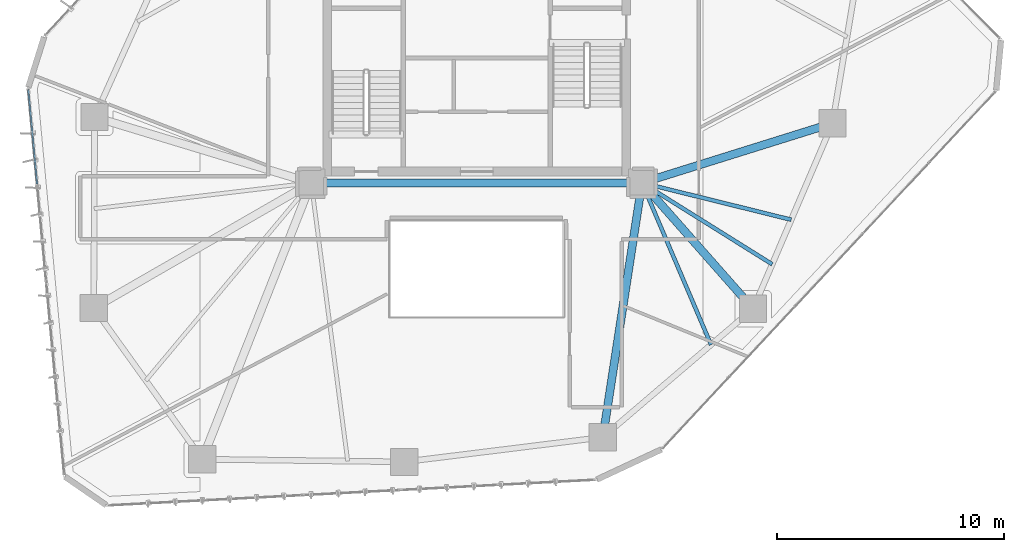
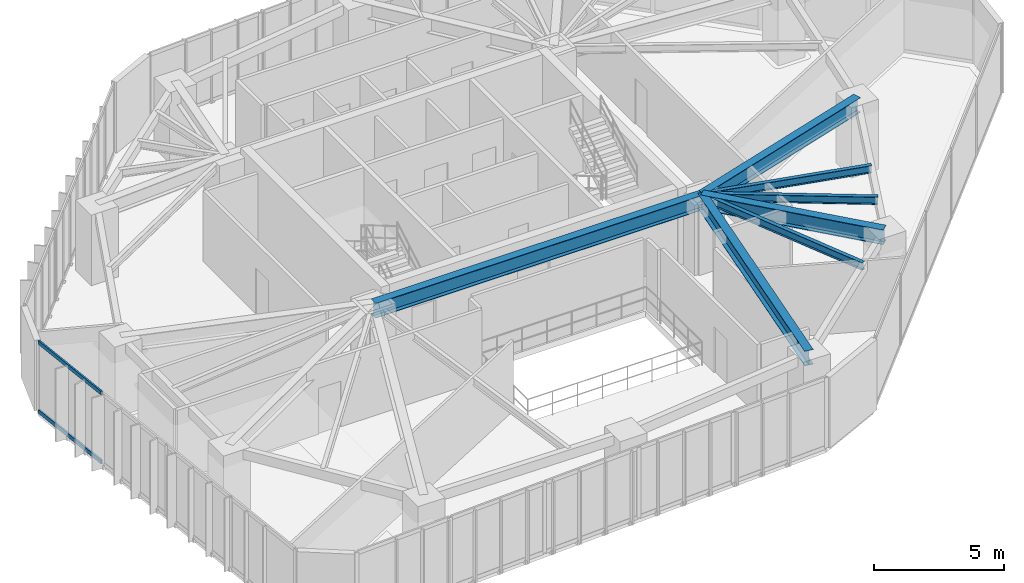
# One storey, part 8 of 23: 7 beams, 2 members, 1 element without a shape of its own.
"""IFC4 building model written with IfcOpenShell, lengths in metres."""

from ifc_helpers import new_model, si_unit, direction, frame, origin, origin_2d, place, context, subcontext, project, spatial, hollow_rectangle, i_section, extrude, source, transform, mapped, material, layer, layer_set, material_profile, profile_set, type_object, type_shapes, element, aggregate, save


model = new_model("IFC4")

# Units and contexts
model_context = context("Model", 3, precision=1e-05, world=origin(), true_north=direction((0.0, 1.0)))
body_context = subcontext(model_context, "Body", "Model", "MODEL_VIEW")
ifc_project = project(units=[si_unit("LENGTHUNIT", "METRE"), si_unit("AREAUNIT", "SQUARE_METRE"), si_unit("VOLUMEUNIT", "CUBIC_METRE"), si_unit("PLANEANGLEUNIT", "RADIAN"), si_unit("MASSUNIT", "GRAM", prefix="KILO")], contexts=[model_context])

# Site, building, storey
site_placement = place(None, origin())
site = spatial("IfcSite", under=ifc_project, at=site_placement, CompositionType="ELEMENT")
building_placement = place(site_placement, origin())
building = spatial("IfcBuilding", under=site, at=building_placement, Name="Talar Marvaseh", CompositionType="ELEMENT")
storey_placement = place(building_placement, frame((0.0, 0.0, 100.199951171875)))
storey = spatial("IfcBuildingStorey", under=building, at=storey_placement, Name="L25", CompositionType="ELEMENT", Elevation=100.199951171875)

# Beams
ifc_material_1 = material(Name="Steel S355", Category="steel")
ifc_material_profile_1 = material_profile(ifc_material_1, i_section(OverallWidth=0.35498046875, OverallDepth=0.695068359375, WebThickness=0.015380859375, FlangeThickness=0.02490234375, at=origin_2d()), Name="W690x217")
ifc_profile_set_1 = profile_set([ifc_material_profile_1], Name="Steel S355")
beam_type_1 = type_object("IfcBeamType", Name="Zone 2 Radial Floor Girder W690x217", PredefinedType="BEAM", material=ifc_profile_set_1)
beam_1_placement = place(storey_placement, frame((18.699951171875, 25.5, 2.962646484375), z_axis=(1.0, 0.0, 0.0), x_axis=(0.0, 1.0, 0.0)))
element("IfcBeam", 1, at=beam_1_placement, inside=storey, type_object=beam_type_1, Name="L25 Zone 2 Radial Floor Girder W690x217", PredefinedType="BEAM", context=body_context, shape_type="SweptSolid", body=[
    extrude(i_section(OverallWidth=0.35498046875, OverallDepth=0.695068359375, WebThickness=0.015380859375, FlangeThickness=0.02490234375, at=origin_2d()), origin(), (0.0, 0.0, 1.0), 14.60009765625),
])
beam_2_placement = place(storey_placement, frame((41.708984375, 28.1279296875, 2.962646484375), z_axis=(-0.954475540106, -0.298289194138, 0.0), x_axis=(0.298289194138, -0.954475540106, 0.0)))
element("IfcBeam", 2, at=beam_2_placement, inside=storey, type_object=beam_type_1, Name="L25 Zone 2 Radial Floor Girder W690x217", PredefinedType="BEAM", context=body_context, shape_type="SweptSolid", body=[
    extrude(i_section(OverallWidth=0.35498046875, OverallDepth=0.695068359375, WebThickness=0.015380859375, FlangeThickness=0.02490234375, at=origin_2d()), origin(), (0.0, 0.0, 1.0), 8.81005859375),
])
beam_3_placement = place(storey_placement, frame((38.2060546875, 19.94091796875, 2.962646484375), z_axis=(-0.661692423388, 0.749775390921, 0.0), x_axis=(-0.749775390921, -0.661692423388, 0.0)))
element("IfcBeam", 3, at=beam_3_placement, inside=storey, type_object=beam_type_1, Name="L25 Zone 2 Radial Floor Girder W690x217", PredefinedType="BEAM", context=body_context, shape_type="SweptSolid", body=[
    extrude(i_section(OverallWidth=0.35498046875, OverallDepth=0.695068359375, WebThickness=0.015380859375, FlangeThickness=0.02490234375, at=origin_2d()), origin(), (0.0, 0.0, 1.0), 7.414306640625),
])
beam_4_placement = place(storey_placement, frame((31.570068359375, 14.26806640625, 2.962646484375), z_axis=(0.152228300633, 0.98834535689, 0.0), x_axis=(-0.98834535689, 0.152228300633, 0.0)))
element("IfcBeam", 4, at=beam_4_placement, inside=storey, type_object=beam_type_1, Name="L25 Zone 2 Radial Floor Girder W690x217", PredefinedType="BEAM", context=body_context, shape_type="SweptSolid", body=[
    extrude(i_section(OverallWidth=0.35498046875, OverallDepth=0.695068359375, WebThickness=0.015380859375, FlangeThickness=0.02490234375, at=origin_2d()), origin(), (0.0, 0.0, 1.0), 11.364501953125),
])
ifc_material_profile_2 = material_profile(ifc_material_1, i_section(OverallWidth=0.172119140625, OverallDepth=0.35791015625, WebThickness=0.0078125, FlangeThickness=0.01318359375, at=origin_2d()), Name="W360x57")
ifc_profile_set_2 = profile_set([ifc_material_profile_2], Name="Steel S355")
beam_type_2 = type_object("IfcBeamType", Name="Zone 2 Secondary Floor Joist W360x57", PredefinedType="JOIST", material=ifc_profile_set_2)
beam_5_placement = place(storey_placement, frame((39.887451171875, 23.870849609375, 3.131103515625), z_axis=(-0.970753133019, 0.240079892396, 0.0), x_axis=(-0.240079892396, -0.970753133019, 0.0)))
element("IfcBeam", 5, at=beam_5_placement, inside=storey, type_object=beam_type_2, Name="L25 Zone 2 Secondary Floor Joist W360x57", PredefinedType="JOIST", context=body_context, shape_type="SweptSolid", body=[
    extrude(i_section(OverallWidth=0.172119140625, OverallDepth=0.35791015625, WebThickness=0.0078125, FlangeThickness=0.01318359375, at=origin_2d()), origin(), (0.0, 0.0, 1.0), 6.785888671875),
])
beam_6_placement = place(storey_placement, frame((39.046630859375, 21.906005859375, 3.131103515625), z_axis=(-0.84784042564, 0.530251461715, 0.0), x_axis=(-0.530251461715, -0.84784042564, 0.0)))
element("IfcBeam", 6, at=beam_6_placement, inside=storey, type_object=beam_type_2, Name="L25 Zone 2 Secondary Floor Joist W360x57", PredefinedType="JOIST", context=body_context, shape_type="SweptSolid", body=[
    extrude(i_section(OverallWidth=0.172119140625, OverallDepth=0.35791015625, WebThickness=0.0078125, FlangeThickness=0.01318359375, at=origin_2d()), origin(), (0.0, 0.0, 1.0), 6.77783203125),
])
beam_7_placement = place(storey_placement, frame((36.347900390625, 18.3525390625, 3.131103515625), z_axis=(-0.39225012708, 0.919858596636, 0.0), x_axis=(-0.919858596636, -0.39225012708, 0.0)))
element("IfcBeam", 7, at=beam_7_placement, inside=storey, type_object=beam_type_2, Name="L25 Zone 2 Secondary Floor Joist W360x57", PredefinedType="JOIST", context=body_context, shape_type="SweptSolid", body=[
    extrude(i_section(OverallWidth=0.172119140625, OverallDepth=0.35791015625, WebThickness=0.0078125, FlangeThickness=0.01318359375, at=origin_2d()), origin(), (0.0, 0.0, 1.0), 7.770263671875),
])

# Curtain wall, members
ifc_material_2 = material(Name="Architectural Aluminium", Category="aluminium")
ifc_layer = layer(ifc_material_2, 0.199951171875)
ifc_layer_set = layer_set([ifc_layer], Name="Architectural Aluminium")
curtain_wall_type = type_object("IfcCurtainWallType", Name="Unitised Acoustic Library Curtain Wall Z2", PredefinedType="NOTDEFINED", material=ifc_layer_set)
curtain_wall_placement = place(storey_placement, origin())
curtain_wall = element("IfcCurtainWall", 8, at=curtain_wall_placement, inside=storey, type_object=curtain_wall_type, Name="L25 Unitised Acoustic Library Curtain Wall Z2", PredefinedType="NOTDEFINED")
ifc_material_profile_3 = material_profile(ifc_material_2, hollow_rectangle(XDim=0.074951171875, YDim=0.179931640625, WallThickness=0.0048828125, at=origin_2d()), Name="RHS180x75x5")
ifc_profile_set_3 = profile_set([ifc_material_profile_3], Name="Architectural Aluminium")
member_type = type_object("IfcMemberType", Name="Unitised Curtain Wall Transom RHS180x75x5", PredefinedType="USERDEFINED", material=ifc_profile_set_3)
shared_shape = source(origin(), body_context, "Body", "SweptSolid", [
    extrude(hollow_rectangle(XDim=0.074951171875, YDim=0.179931640625, WallThickness=0.0048828125, at=origin_2d()), origin(), (0.0, 0.0, 1.0), 4.185546875),
])
type_shapes(member_type, [shared_shape])
member_1_placement = place(storey_placement, frame((6.599853515625, 25.442138671875, 0.03759765625), z_axis=(-0.093154589985, 0.99565165714, 0.0), x_axis=(-0.99565165714, -0.093154589985, 0.0)))
member_1 = element("IfcMember", 9, at=member_1_placement, type_object=member_type, Name="CW-Z2 transom 4.1", ObjectType="TRANSOM", PredefinedType="USERDEFINED", context=body_context, shape_type="MappedRepresentation", body=[
    mapped(shared_shape, transform((0.0, 0.0, 0.0), x_axis=(1.0, 0.0, 0.0), y_axis=(0.0, 1.0, 0.0), z_axis=(0.0, 0.0, 1.0), scale=1.0)),
])
member_2_placement = place(storey_placement, frame((6.599853515625, 25.442138671875, 3.2724609375), z_axis=(-0.093154589985, 0.99565165714, 0.0), x_axis=(-0.99565165714, -0.093154589985, 0.0)))
member_2 = element("IfcMember", 10, at=member_2_placement, type_object=member_type, Name="CW-Z2 transom 4.2", ObjectType="TRANSOM", PredefinedType="USERDEFINED", context=body_context, shape_type="MappedRepresentation", body=[
    mapped(shared_shape, transform((0.0, 0.0, 0.0), x_axis=(1.0, 0.0, 0.0), y_axis=(0.0, 1.0, 0.0), z_axis=(0.0, 0.0, 1.0), scale=1.0)),
])
aggregate(curtain_wall, [member_1, member_2])

save(model, "model.ifc")
